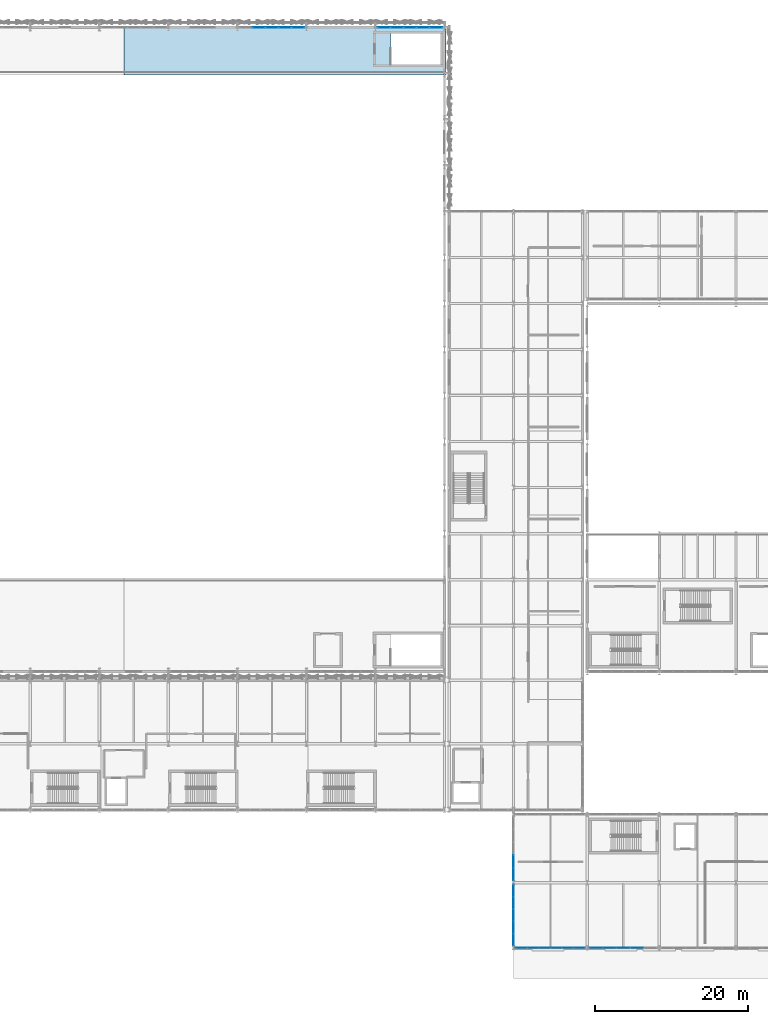
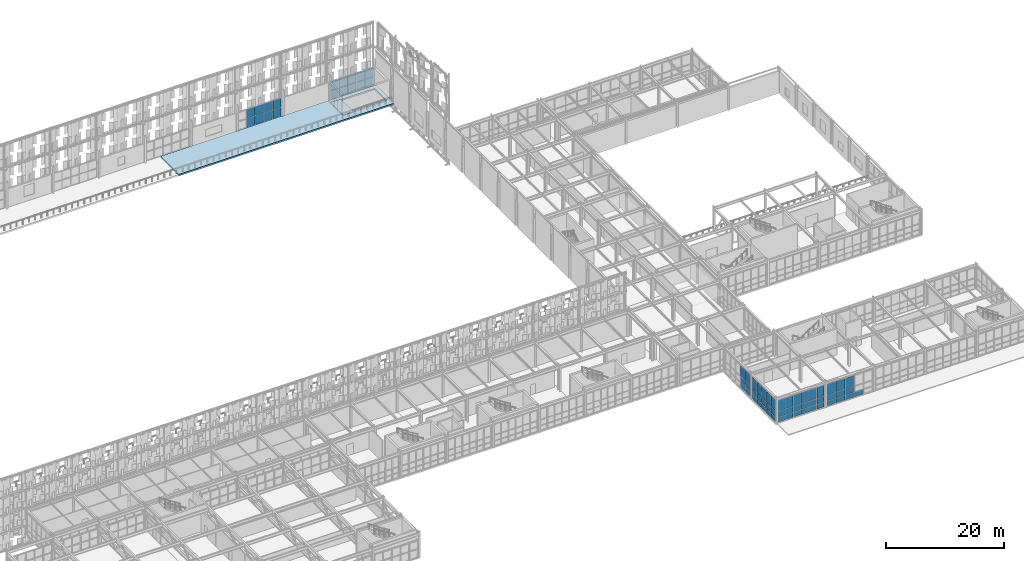
# One storey, part 141 of 210: 67 plates, 2 slabs, 6 elements without a shape of their own.
"""IFC4 building model written with IfcOpenShell, lengths in metres."""

from ifc_helpers import new_model, si_unit, direction, frame, origin, origin_2d, place, context, subcontext, project, spatial, polyline, rectangle, outline, extrude, material, layer, layer_set, type_object, element, aggregate, save


model = new_model("IFC4")

# Units and contexts
model_context = context("Model", 3, precision=1e-05, world=origin(), true_north=direction((0.0, 1.0)))
body_context = subcontext(model_context, "Body", "Model", "MODEL_VIEW")
ifc_project = project(units=[si_unit("LENGTHUNIT", "METRE"), si_unit("AREAUNIT", "SQUARE_METRE"), si_unit("VOLUMEUNIT", "CUBIC_METRE"), si_unit("PLANEANGLEUNIT", "RADIAN"), si_unit("MASSUNIT", "GRAM", prefix="KILO")], contexts=[model_context])

# Site, building, storey
site_placement = place(None, origin())
site = spatial("IfcSite", under=ifc_project, at=site_placement, CompositionType="ELEMENT")
building_placement = place(site_placement, origin())
building = spatial("IfcBuilding", under=site, at=building_placement, Name="Kaldris Quays Convention Centre", CompositionType="ELEMENT")
storey_placement = place(building_placement, frame((0.0, 0.0, 6.0)))
storey = spatial("IfcBuildingStorey", under=building, at=storey_placement, Name="L01", CompositionType="ELEMENT", Elevation=6.0)

# Curtain wall, plates
ifc_material_1 = material(Name="Anodized aluminium AW-6060 and triple glazing", Category="aluminium")
curtain_wall_type_1 = type_object("IfcCurtainWallType", Name="UNITISED CURTAIN WALL CW02", PredefinedType="NOTDEFINED", material=ifc_material_1)
curtain_wall_1_placement = place(storey_placement, origin())
curtain_wall_1 = element("IfcCurtainWall", 1, at=curtain_wall_1_placement, inside=storey, type_object=curtain_wall_type_1, Name="L01 Unitised Curtain Wall CW02 185", PredefinedType="NOTDEFINED")
ifc_material_2 = material(Name="Triple low-E insulated glazing", Category="glass")
plate_type_1 = type_object("IfcPlateType", Name="CURTAIN GLAZING PANEL CWP1", PredefinedType="CURTAIN_PANEL", material=ifc_material_2)
plate_1_placement = place(storey_placement, frame((156.0234375, 20.0, 0.06005859375), z_axis=(0.0, 0.0, 1.0), x_axis=(1.0, 0.0, 0.0)))
plate_1 = element("IfcPlate", 2, at=plate_1_placement, type_object=plate_type_1, Name="CW02 panel 1.1", PredefinedType="CURTAIN_PANEL", context=body_context, shape_type="SweptSolid", body=[
    extrude(rectangle(XDim=1.4267578125, YDim=0.029052734375, at=origin_2d()), origin(), (0.0, 0.0, 1.0), 0.9599609375),
])
plate_2_placement = place(storey_placement, frame((156.0234375, 20.0, 1.080078125), z_axis=(0.0, 0.0, 1.0), x_axis=(1.0, 0.0, 0.0)))
plate_2 = element("IfcPlate", 3, at=plate_2_placement, type_object=plate_type_1, Name="CW02 panel 1.2", PredefinedType="CURTAIN_PANEL", context=body_context, shape_type="SweptSolid", body=[
    extrude(rectangle(XDim=1.4267578125, YDim=0.029052734375, at=origin_2d()), origin(), (0.0, 0.0, 1.0), 1.18994140625),
])
plate_3_placement = place(storey_placement, frame((156.0234375, 20.0, 2.330078125), z_axis=(0.0, 0.0, 1.0), x_axis=(1.0, 0.0, 0.0)))
plate_3 = element("IfcPlate", 4, at=plate_3_placement, type_object=plate_type_1, Name="CW02 panel 1.3", PredefinedType="CURTAIN_PANEL", context=body_context, shape_type="SweptSolid", body=[
    extrude(rectangle(XDim=1.4267578125, YDim=0.029052734375, at=origin_2d()), origin(), (0.0, 0.0, 1.0), 2.2099609375),
])
plate_4_placement = place(storey_placement, frame((157.52490234375, 20.0, 0.06005859375), z_axis=(0.0, 0.0, 1.0), x_axis=(1.0, 0.0, 0.0)))
plate_4 = element("IfcPlate", 5, at=plate_4_placement, type_object=plate_type_1, Name="CW02 panel 2.1", PredefinedType="CURTAIN_PANEL", context=body_context, shape_type="SweptSolid", body=[
    extrude(rectangle(XDim=1.456787109375, YDim=0.029052734375, at=origin_2d()), origin(), (0.0, 0.0, 1.0), 0.9599609375),
])
plate_5_placement = place(storey_placement, frame((157.52490234375, 20.0, 1.080078125), z_axis=(0.0, 0.0, 1.0), x_axis=(1.0, 0.0, 0.0)))
plate_5 = element("IfcPlate", 6, at=plate_5_placement, type_object=plate_type_1, Name="CW02 panel 2.2", PredefinedType="CURTAIN_PANEL", context=body_context, shape_type="SweptSolid", body=[
    extrude(rectangle(XDim=1.456787109375, YDim=0.029052734375, at=origin_2d()), origin(), (0.0, 0.0, 1.0), 1.18994140625),
])
plate_6_placement = place(storey_placement, frame((157.52490234375, 20.0, 2.330078125), z_axis=(0.0, 0.0, 1.0), x_axis=(1.0, 0.0, 0.0)))
plate_6 = element("IfcPlate", 7, at=plate_6_placement, type_object=plate_type_1, Name="CW02 panel 2.3", PredefinedType="CURTAIN_PANEL", context=body_context, shape_type="SweptSolid", body=[
    extrude(rectangle(XDim=1.456787109375, YDim=0.029052734375, at=origin_2d()), origin(), (0.0, 0.0, 1.0), 2.2099609375),
])
plate_7_placement = place(storey_placement, frame((159.041748046875, 20.0, 0.06005859375), z_axis=(0.0, 0.0, 1.0), x_axis=(1.0, 0.0, 0.0)))
plate_7 = element("IfcPlate", 8, at=plate_7_placement, type_object=plate_type_1, Name="CW02 panel 3.1", PredefinedType="CURTAIN_PANEL", context=body_context, shape_type="SweptSolid", body=[
    extrude(rectangle(XDim=1.456787109375, YDim=0.029052734375, at=origin_2d()), origin(), (0.0, 0.0, 1.0), 0.9599609375),
])
plate_8_placement = place(storey_placement, frame((159.041748046875, 20.0, 1.080078125), z_axis=(0.0, 0.0, 1.0), x_axis=(1.0, 0.0, 0.0)))
plate_8 = element("IfcPlate", 9, at=plate_8_placement, type_object=plate_type_1, Name="CW02 panel 3.2", PredefinedType="CURTAIN_PANEL", context=body_context, shape_type="SweptSolid", body=[
    extrude(rectangle(XDim=1.456787109375, YDim=0.029052734375, at=origin_2d()), origin(), (0.0, 0.0, 1.0), 1.18994140625),
])
plate_9_placement = place(storey_placement, frame((159.041748046875, 20.0, 2.330078125), z_axis=(0.0, 0.0, 1.0), x_axis=(1.0, 0.0, 0.0)))
plate_9 = element("IfcPlate", 10, at=plate_9_placement, type_object=plate_type_1, Name="CW02 panel 3.3", PredefinedType="CURTAIN_PANEL", context=body_context, shape_type="SweptSolid", body=[
    extrude(rectangle(XDim=1.456787109375, YDim=0.029052734375, at=origin_2d()), origin(), (0.0, 0.0, 1.0), 2.2099609375),
])
plate_10_placement = place(storey_placement, frame((160.558349609375, 20.0, 0.06005859375), z_axis=(0.0, 0.0, 1.0), x_axis=(1.0, 0.0, 0.0)))
plate_10 = element("IfcPlate", 11, at=plate_10_placement, type_object=plate_type_1, Name="CW02 panel 4.1", PredefinedType="CURTAIN_PANEL", context=body_context, shape_type="SweptSolid", body=[
    extrude(rectangle(XDim=1.456787109375, YDim=0.029052734375, at=origin_2d()), origin(), (0.0, 0.0, 1.0), 0.9599609375),
])
plate_11_placement = place(storey_placement, frame((160.558349609375, 20.0, 1.080078125), z_axis=(0.0, 0.0, 1.0), x_axis=(1.0, 0.0, 0.0)))
plate_11 = element("IfcPlate", 12, at=plate_11_placement, type_object=plate_type_1, Name="CW02 panel 4.2", PredefinedType="CURTAIN_PANEL", context=body_context, shape_type="SweptSolid", body=[
    extrude(rectangle(XDim=1.456787109375, YDim=0.029052734375, at=origin_2d()), origin(), (0.0, 0.0, 1.0), 1.18994140625),
])
plate_12_placement = place(storey_placement, frame((160.558349609375, 20.0, 2.330078125), z_axis=(0.0, 0.0, 1.0), x_axis=(1.0, 0.0, 0.0)))
plate_12 = element("IfcPlate", 13, at=plate_12_placement, type_object=plate_type_1, Name="CW02 panel 4.3", PredefinedType="CURTAIN_PANEL", context=body_context, shape_type="SweptSolid", body=[
    extrude(rectangle(XDim=1.456787109375, YDim=0.029052734375, at=origin_2d()), origin(), (0.0, 0.0, 1.0), 2.2099609375),
])
plate_13_placement = place(storey_placement, frame((162.074951171875, 20.0, 0.06005859375), z_axis=(0.0, 0.0, 1.0), x_axis=(1.0, 0.0, 0.0)))
plate_13 = element("IfcPlate", 14, at=plate_13_placement, type_object=plate_type_1, Name="CW02 panel 5.1", PredefinedType="CURTAIN_PANEL", context=body_context, shape_type="SweptSolid", body=[
    extrude(rectangle(XDim=1.456787109375, YDim=0.029052734375, at=origin_2d()), origin(), (0.0, 0.0, 1.0), 0.9599609375),
])
plate_14_placement = place(storey_placement, frame((162.074951171875, 20.0, 1.080078125), z_axis=(0.0, 0.0, 1.0), x_axis=(1.0, 0.0, 0.0)))
plate_14 = element("IfcPlate", 15, at=plate_14_placement, type_object=plate_type_1, Name="CW02 panel 5.2", PredefinedType="CURTAIN_PANEL", context=body_context, shape_type="SweptSolid", body=[
    extrude(rectangle(XDim=1.456787109375, YDim=0.029052734375, at=origin_2d()), origin(), (0.0, 0.0, 1.0), 1.18994140625),
])
plate_15_placement = place(storey_placement, frame((162.074951171875, 20.0, 2.330078125), z_axis=(0.0, 0.0, 1.0), x_axis=(1.0, 0.0, 0.0)))
plate_15 = element("IfcPlate", 16, at=plate_15_placement, type_object=plate_type_1, Name="CW02 panel 5.3", PredefinedType="CURTAIN_PANEL", context=body_context, shape_type="SweptSolid", body=[
    extrude(rectangle(XDim=1.456787109375, YDim=0.029052734375, at=origin_2d()), origin(), (0.0, 0.0, 1.0), 2.2099609375),
])
plate_16_placement = place(storey_placement, frame((163.57666015625, 20.0, 0.06005859375), z_axis=(0.0, 0.0, 1.0), x_axis=(1.0, 0.0, 0.0)))
plate_16 = element("IfcPlate", 17, at=plate_16_placement, type_object=plate_type_1, Name="CW02 panel 6.1", PredefinedType="CURTAIN_PANEL", context=body_context, shape_type="SweptSolid", body=[
    extrude(rectangle(XDim=1.4267578125, YDim=0.029052734375, at=origin_2d()), origin(), (0.0, 0.0, 1.0), 0.9599609375),
])
plate_17_placement = place(storey_placement, frame((163.57666015625, 20.0, 1.080078125), z_axis=(0.0, 0.0, 1.0), x_axis=(1.0, 0.0, 0.0)))
plate_17 = element("IfcPlate", 18, at=plate_17_placement, type_object=plate_type_1, Name="CW02 panel 6.2", PredefinedType="CURTAIN_PANEL", context=body_context, shape_type="SweptSolid", body=[
    extrude(rectangle(XDim=1.4267578125, YDim=0.029052734375, at=origin_2d()), origin(), (0.0, 0.0, 1.0), 1.18994140625),
])
plate_18_placement = place(storey_placement, frame((163.57666015625, 20.0, 2.330078125), z_axis=(0.0, 0.0, 1.0), x_axis=(1.0, 0.0, 0.0)))
plate_18 = element("IfcPlate", 19, at=plate_18_placement, type_object=plate_type_1, Name="CW02 panel 6.3", PredefinedType="CURTAIN_PANEL", context=body_context, shape_type="SweptSolid", body=[
    extrude(rectangle(XDim=1.4267578125, YDim=0.029052734375, at=origin_2d()), origin(), (0.0, 0.0, 1.0), 2.2099609375),
])
aggregate(curtain_wall_1, [plate_1, plate_2, plate_3, plate_4, plate_5, plate_6, plate_7, plate_8, plate_9, plate_10, plate_11, plate_12, plate_13, plate_14, plate_15, plate_16, plate_17, plate_18])

curtain_wall_2_placement = place(storey_placement, origin())
curtain_wall_2 = element("IfcCurtainWall", 20, at=curtain_wall_2_placement, inside=storey, type_object=curtain_wall_type_1, Name="L01 Unitised Curtain Wall CW02 187", PredefinedType="NOTDEFINED")
plate_type_2 = type_object("IfcPlateType", Name="CURTAIN GLAZING PANEL CWP3", PredefinedType="CURTAIN_PANEL", material=ifc_material_2)
plate_19_placement = place(storey_placement, frame((165.7548828125, 20.0, 0.06005859375), z_axis=(0.0, 0.0, 1.0), x_axis=(1.0, 0.0, 0.0)))
plate_19 = element("IfcPlate", 21, at=plate_19_placement, type_object=plate_type_2, Name="CW02 panel 1.1", PredefinedType="CURTAIN_PANEL", context=body_context, shape_type="SweptSolid", body=[
    extrude(rectangle(XDim=1.68994140625, YDim=0.0390625, at=origin_2d()), origin(), (0.0, 0.0, 1.0), 0.9599609375),
])
plate_20_placement = place(storey_placement, frame((165.7548828125, 20.0, 1.080078125), z_axis=(0.0, 0.0, 1.0), x_axis=(1.0, 0.0, 0.0)))
plate_20 = element("IfcPlate", 22, at=plate_20_placement, type_object=plate_type_2, Name="CW02 panel 1.2", PredefinedType="CURTAIN_PANEL", context=body_context, shape_type="SweptSolid", body=[
    extrude(rectangle(XDim=1.68994140625, YDim=0.0390625, at=origin_2d()), origin(), (0.0, 0.0, 1.0), 1.18994140625),
])
plate_21_placement = place(storey_placement, frame((165.7548828125, 20.0, 2.330078125), z_axis=(0.0, 0.0, 1.0), x_axis=(1.0, 0.0, 0.0)))
plate_21 = element("IfcPlate", 23, at=plate_21_placement, type_object=plate_type_2, Name="CW02 panel 1.3", PredefinedType="CURTAIN_PANEL", context=body_context, shape_type="SweptSolid", body=[
    extrude(rectangle(XDim=1.68994140625, YDim=0.0390625, at=origin_2d()), origin(), (0.0, 0.0, 1.0), 2.2099609375),
])
plate_22_placement = place(storey_placement, frame((167.52001953125, 20.0, 0.06005859375), z_axis=(0.0, 0.0, 1.0), x_axis=(1.0, 0.0, 0.0)))
plate_22 = element("IfcPlate", 24, at=plate_22_placement, type_object=plate_type_2, Name="CW02 panel 2.1", PredefinedType="CURTAIN_PANEL", context=body_context, shape_type="SweptSolid", body=[
    extrude(rectangle(XDim=1.719970703125, YDim=0.0390625, at=origin_2d()), origin(), (0.0, 0.0, 1.0), 0.9599609375),
])
plate_23_placement = place(storey_placement, frame((167.52001953125, 20.0, 1.080078125), z_axis=(0.0, 0.0, 1.0), x_axis=(1.0, 0.0, 0.0)))
plate_23 = element("IfcPlate", 25, at=plate_23_placement, type_object=plate_type_2, Name="CW02 panel 2.2", PredefinedType="CURTAIN_PANEL", context=body_context, shape_type="SweptSolid", body=[
    extrude(rectangle(XDim=1.719970703125, YDim=0.0390625, at=origin_2d()), origin(), (0.0, 0.0, 1.0), 1.18994140625),
])
plate_24_placement = place(storey_placement, frame((167.52001953125, 20.0, 2.330078125), z_axis=(0.0, 0.0, 1.0), x_axis=(1.0, 0.0, 0.0)))
plate_24 = element("IfcPlate", 26, at=plate_24_placement, type_object=plate_type_2, Name="CW02 panel 2.3", PredefinedType="CURTAIN_PANEL", context=body_context, shape_type="SweptSolid", body=[
    extrude(rectangle(XDim=1.719970703125, YDim=0.0390625, at=origin_2d()), origin(), (0.0, 0.0, 1.0), 2.2099609375),
])
plate_25_placement = place(storey_placement, frame((169.300048828125, 20.0, 0.06005859375), z_axis=(0.0, 0.0, 1.0), x_axis=(1.0, 0.0, 0.0)))
plate_25 = element("IfcPlate", 27, at=plate_25_placement, type_object=plate_type_2, Name="CW02 panel 3.1", PredefinedType="CURTAIN_PANEL", context=body_context, shape_type="SweptSolid", body=[
    extrude(rectangle(XDim=1.719970703125, YDim=0.0390625, at=origin_2d()), origin(), (0.0, 0.0, 1.0), 0.9599609375),
])
plate_26_placement = place(storey_placement, frame((169.300048828125, 20.0, 1.080078125), z_axis=(0.0, 0.0, 1.0), x_axis=(1.0, 0.0, 0.0)))
plate_26 = element("IfcPlate", 28, at=plate_26_placement, type_object=plate_type_2, Name="CW02 panel 3.2", PredefinedType="CURTAIN_PANEL", context=body_context, shape_type="SweptSolid", body=[
    extrude(rectangle(XDim=1.719970703125, YDim=0.0390625, at=origin_2d()), origin(), (0.0, 0.0, 1.0), 1.18994140625),
])
plate_27_placement = place(storey_placement, frame((169.300048828125, 20.0, 2.330078125), z_axis=(0.0, 0.0, 1.0), x_axis=(1.0, 0.0, 0.0)))
plate_27 = element("IfcPlate", 29, at=plate_27_placement, type_object=plate_type_2, Name="CW02 panel 3.3", PredefinedType="CURTAIN_PANEL", context=body_context, shape_type="SweptSolid", body=[
    extrude(rectangle(XDim=1.719970703125, YDim=0.0390625, at=origin_2d()), origin(), (0.0, 0.0, 1.0), 2.2099609375),
])
plate_28_placement = place(storey_placement, frame((171.080078125, 20.0, 0.06005859375), z_axis=(0.0, 0.0, 1.0), x_axis=(1.0, 0.0, 0.0)))
plate_28 = element("IfcPlate", 30, at=plate_28_placement, type_object=plate_type_2, Name="CW02 panel 4.1", PredefinedType="CURTAIN_PANEL", context=body_context, shape_type="SweptSolid", body=[
    extrude(rectangle(XDim=1.719970703125, YDim=0.0390625, at=origin_2d()), origin(), (0.0, 0.0, 1.0), 0.9599609375),
])
aggregate(curtain_wall_2, [plate_19, plate_20, plate_21, plate_22, plate_23, plate_24, plate_25, plate_26, plate_27, plate_28])

curtain_wall_3_placement = place(storey_placement, origin())
curtain_wall_3 = element("IfcCurtainWall", 31, at=curtain_wall_3_placement, inside=storey, type_object=curtain_wall_type_1, Name="L01 Unitised Curtain Wall CW02 195", PredefinedType="NOTDEFINED")
plate_29_placement = place(storey_placement, frame((155.0, 21.06494140625, 0.06005859375), z_axis=(0.0, 0.0, 1.0), x_axis=(0.0, 1.0, 0.0)))
plate_29 = element("IfcPlate", 32, at=plate_29_placement, type_object=plate_type_2, Name="CW02 panel 1.1", PredefinedType="CURTAIN_PANEL", context=body_context, shape_type="SweptSolid", body=[
    extrude(rectangle(XDim=1.510009765625, YDim=0.0390625, at=origin_2d()), origin(), (0.0, 0.0, 1.0), 0.9599609375),
])
plate_30_placement = place(storey_placement, frame((155.0, 21.06494140625, 1.080078125), z_axis=(0.0, 0.0, 1.0), x_axis=(0.0, 1.0, 0.0)))
plate_30 = element("IfcPlate", 33, at=plate_30_placement, type_object=plate_type_2, Name="CW02 panel 1.2", PredefinedType="CURTAIN_PANEL", context=body_context, shape_type="SweptSolid", body=[
    extrude(rectangle(XDim=1.510009765625, YDim=0.0390625, at=origin_2d()), origin(), (0.0, 0.0, 1.0), 1.18994140625),
])
plate_31_placement = place(storey_placement, frame((155.0, 21.06494140625, 2.330078125), z_axis=(0.0, 0.0, 1.0), x_axis=(0.0, 1.0, 0.0)))
plate_31 = element("IfcPlate", 34, at=plate_31_placement, type_object=plate_type_2, Name="CW02 panel 1.3", PredefinedType="CURTAIN_PANEL", context=body_context, shape_type="SweptSolid", body=[
    extrude(rectangle(XDim=1.510009765625, YDim=0.0390625, at=origin_2d()), origin(), (0.0, 0.0, 1.0), 2.2099609375),
])
plate_32_placement = place(storey_placement, frame((155.0, 22.64990234375, 0.06005859375), z_axis=(0.0, 0.0, 1.0), x_axis=(0.0, 1.0, 0.0)))
plate_32 = element("IfcPlate", 35, at=plate_32_placement, type_object=plate_type_2, Name="CW02 panel 2.1", PredefinedType="CURTAIN_PANEL", context=body_context, shape_type="SweptSolid", body=[
    extrude(rectangle(XDim=1.5400390625, YDim=0.0390625, at=origin_2d()), origin(), (0.0, 0.0, 1.0), 0.9599609375),
])
plate_33_placement = place(storey_placement, frame((155.0, 22.64990234375, 1.080078125), z_axis=(0.0, 0.0, 1.0), x_axis=(0.0, 1.0, 0.0)))
plate_33 = element("IfcPlate", 36, at=plate_33_placement, type_object=plate_type_2, Name="CW02 panel 2.2", PredefinedType="CURTAIN_PANEL", context=body_context, shape_type="SweptSolid", body=[
    extrude(rectangle(XDim=1.5400390625, YDim=0.0390625, at=origin_2d()), origin(), (0.0, 0.0, 1.0), 1.18994140625),
])
plate_34_placement = place(storey_placement, frame((155.0, 22.64990234375, 2.330078125), z_axis=(0.0, 0.0, 1.0), x_axis=(0.0, 1.0, 0.0)))
plate_34 = element("IfcPlate", 37, at=plate_34_placement, type_object=plate_type_2, Name="CW02 panel 2.3", PredefinedType="CURTAIN_PANEL", context=body_context, shape_type="SweptSolid", body=[
    extrude(rectangle(XDim=1.5400390625, YDim=0.0390625, at=origin_2d()), origin(), (0.0, 0.0, 1.0), 2.2099609375),
])
plate_35_placement = place(storey_placement, frame((155.0, 24.25, 0.06005859375), z_axis=(0.0, 0.0, 1.0), x_axis=(0.0, 1.0, 0.0)))
plate_35 = element("IfcPlate", 38, at=plate_35_placement, type_object=plate_type_2, Name="CW02 panel 3.1", PredefinedType="CURTAIN_PANEL", context=body_context, shape_type="SweptSolid", body=[
    extrude(rectangle(XDim=1.5400390625, YDim=0.0390625, at=origin_2d()), origin(), (0.0, 0.0, 1.0), 0.9599609375),
])
plate_36_placement = place(storey_placement, frame((155.0, 24.25, 1.080078125), z_axis=(0.0, 0.0, 1.0), x_axis=(0.0, 1.0, 0.0)))
plate_36 = element("IfcPlate", 39, at=plate_36_placement, type_object=plate_type_2, Name="CW02 panel 3.2", PredefinedType="CURTAIN_PANEL", context=body_context, shape_type="SweptSolid", body=[
    extrude(rectangle(XDim=1.5400390625, YDim=0.0390625, at=origin_2d()), origin(), (0.0, 0.0, 1.0), 1.18994140625),
])
plate_37_placement = place(storey_placement, frame((155.0, 24.25, 2.330078125), z_axis=(0.0, 0.0, 1.0), x_axis=(0.0, 1.0, 0.0)))
plate_37 = element("IfcPlate", 40, at=plate_37_placement, type_object=plate_type_2, Name="CW02 panel 3.3", PredefinedType="CURTAIN_PANEL", context=body_context, shape_type="SweptSolid", body=[
    extrude(rectangle(XDim=1.5400390625, YDim=0.0390625, at=origin_2d()), origin(), (0.0, 0.0, 1.0), 2.2099609375),
])
plate_38_placement = place(storey_placement, frame((155.0, 25.85009765625, 0.06005859375), z_axis=(0.0, 0.0, 1.0), x_axis=(0.0, 1.0, 0.0)))
plate_38 = element("IfcPlate", 41, at=plate_38_placement, type_object=plate_type_2, Name="CW02 panel 4.1", PredefinedType="CURTAIN_PANEL", context=body_context, shape_type="SweptSolid", body=[
    extrude(rectangle(XDim=1.5400390625, YDim=0.0390625, at=origin_2d()), origin(), (0.0, 0.0, 1.0), 0.9599609375),
])
plate_39_placement = place(storey_placement, frame((155.0, 25.85009765625, 1.080078125), z_axis=(0.0, 0.0, 1.0), x_axis=(0.0, 1.0, 0.0)))
plate_39 = element("IfcPlate", 42, at=plate_39_placement, type_object=plate_type_2, Name="CW02 panel 4.2", PredefinedType="CURTAIN_PANEL", context=body_context, shape_type="SweptSolid", body=[
    extrude(rectangle(XDim=1.5400390625, YDim=0.0390625, at=origin_2d()), origin(), (0.0, 0.0, 1.0), 1.18994140625),
])
plate_40_placement = place(storey_placement, frame((155.0, 25.85009765625, 2.330078125), z_axis=(0.0, 0.0, 1.0), x_axis=(0.0, 1.0, 0.0)))
plate_40 = element("IfcPlate", 43, at=plate_40_placement, type_object=plate_type_2, Name="CW02 panel 4.3", PredefinedType="CURTAIN_PANEL", context=body_context, shape_type="SweptSolid", body=[
    extrude(rectangle(XDim=1.5400390625, YDim=0.0390625, at=origin_2d()), origin(), (0.0, 0.0, 1.0), 2.2099609375),
])
plate_41_placement = place(storey_placement, frame((155.0, 27.43505859375, 0.06005859375), z_axis=(0.0, 0.0, 1.0), x_axis=(0.0, 1.0, 0.0)))
plate_41 = element("IfcPlate", 44, at=plate_41_placement, type_object=plate_type_2, Name="CW02 panel 5.1", PredefinedType="CURTAIN_PANEL", context=body_context, shape_type="SweptSolid", body=[
    extrude(rectangle(XDim=1.510009765625, YDim=0.0390625, at=origin_2d()), origin(), (0.0, 0.0, 1.0), 0.9599609375),
])
plate_42_placement = place(storey_placement, frame((155.0, 27.43505859375, 1.080078125), z_axis=(0.0, 0.0, 1.0), x_axis=(0.0, 1.0, 0.0)))
plate_42 = element("IfcPlate", 45, at=plate_42_placement, type_object=plate_type_2, Name="CW02 panel 5.2", PredefinedType="CURTAIN_PANEL", context=body_context, shape_type="SweptSolid", body=[
    extrude(rectangle(XDim=1.510009765625, YDim=0.0390625, at=origin_2d()), origin(), (0.0, 0.0, 1.0), 1.18994140625),
])
plate_43_placement = place(storey_placement, frame((155.0, 27.43505859375, 2.330078125), z_axis=(0.0, 0.0, 1.0), x_axis=(0.0, 1.0, 0.0)))
plate_43 = element("IfcPlate", 46, at=plate_43_placement, type_object=plate_type_2, Name="CW02 panel 5.3", PredefinedType="CURTAIN_PANEL", context=body_context, shape_type="SweptSolid", body=[
    extrude(rectangle(XDim=1.510009765625, YDim=0.0390625, at=origin_2d()), origin(), (0.0, 0.0, 1.0), 2.2099609375),
])
aggregate(curtain_wall_3, [plate_29, plate_30, plate_31, plate_32, plate_33, plate_34, plate_35, plate_36, plate_37, plate_38, plate_39, plate_40, plate_41, plate_42, plate_43])

curtain_wall_type_2 = type_object("IfcCurtainWallType", Name="UNITISED CURTAIN WALL CW05", PredefinedType="NOTDEFINED", material=ifc_material_1)
curtain_wall_4_placement = place(storey_placement, origin())
curtain_wall_4 = element("IfcCurtainWall", 47, at=curtain_wall_4_placement, inside=storey, type_object=curtain_wall_type_2, Name="L01 Unitised Curtain Wall CW05 12", PredefinedType="NOTDEFINED")
plate_type_3 = type_object("IfcPlateType", Name="CURTAIN GLAZING PANEL CWP4", PredefinedType="CURTAIN_PANEL", material=ifc_material_2)
plate_44_placement = place(storey_placement, frame((121.800048828125, 140.0, 0.06005859375), z_axis=(0.0, 0.0, 1.0), x_axis=(1.0, 0.0, 0.0)))
plate_44 = element("IfcPlate", 48, at=plate_44_placement, type_object=plate_type_3, Name="CW05 panel 2.1", PredefinedType="CURTAIN_PANEL", context=body_context, shape_type="SweptSolid", body=[
    extrude(rectangle(XDim=1.639892578125, YDim=0.0439453125, at=origin_2d()), origin(), (0.0, 0.0, 1.0), 1.81005859375),
])
plate_45_placement = place(storey_placement, frame((121.800048828125, 140.0, 1.929931640625), z_axis=(0.0, 0.0, 1.0), x_axis=(1.0, 0.0, 0.0)))
plate_45 = element("IfcPlate", 49, at=plate_45_placement, type_object=plate_type_3, Name="CW05 panel 2.2", PredefinedType="CURTAIN_PANEL", context=body_context, shape_type="SweptSolid", body=[
    extrude(rectangle(XDim=1.639892578125, YDim=0.0439453125, at=origin_2d()), origin(), (0.0, 0.0, 1.0), 1.81005859375),
])
plate_46_placement = place(storey_placement, frame((123.5, 140.0, 0.06005859375), z_axis=(0.0, 0.0, 1.0), x_axis=(1.0, 0.0, 0.0)))
plate_46 = element("IfcPlate", 50, at=plate_46_placement, type_object=plate_type_3, Name="CW05 panel 3.1", PredefinedType="CURTAIN_PANEL", context=body_context, shape_type="SweptSolid", body=[
    extrude(rectangle(XDim=1.639892578125, YDim=0.0439453125, at=origin_2d()), origin(), (0.0, 0.0, 1.0), 1.81005859375),
])
plate_47_placement = place(storey_placement, frame((123.5, 140.0, 1.929931640625), z_axis=(0.0, 0.0, 1.0), x_axis=(1.0, 0.0, 0.0)))
plate_47 = element("IfcPlate", 51, at=plate_47_placement, type_object=plate_type_3, Name="CW05 panel 3.2", PredefinedType="CURTAIN_PANEL", context=body_context, shape_type="SweptSolid", body=[
    extrude(rectangle(XDim=1.639892578125, YDim=0.0439453125, at=origin_2d()), origin(), (0.0, 0.0, 1.0), 1.81005859375),
])
plate_48_placement = place(storey_placement, frame((125.199951171875, 140.0, 0.06005859375), z_axis=(0.0, 0.0, 1.0), x_axis=(1.0, 0.0, 0.0)))
plate_48 = element("IfcPlate", 52, at=plate_48_placement, type_object=plate_type_3, Name="CW05 panel 4.1", PredefinedType="CURTAIN_PANEL", context=body_context, shape_type="SweptSolid", body=[
    extrude(rectangle(XDim=1.639892578125, YDim=0.0439453125, at=origin_2d()), origin(), (0.0, 0.0, 1.0), 1.81005859375),
])
plate_49_placement = place(storey_placement, frame((125.199951171875, 140.0, 1.929931640625), z_axis=(0.0, 0.0, 1.0), x_axis=(1.0, 0.0, 0.0)))
plate_49 = element("IfcPlate", 53, at=plate_49_placement, type_object=plate_type_3, Name="CW05 panel 4.2", PredefinedType="CURTAIN_PANEL", context=body_context, shape_type="SweptSolid", body=[
    extrude(rectangle(XDim=1.639892578125, YDim=0.0439453125, at=origin_2d()), origin(), (0.0, 0.0, 1.0), 1.81005859375),
])
plate_50_placement = place(storey_placement, frame((126.885009765625, 140.0, 0.06005859375), z_axis=(0.0, 0.0, 1.0), x_axis=(1.0, 0.0, 0.0)))
plate_50 = element("IfcPlate", 54, at=plate_50_placement, type_object=plate_type_3, Name="CW05 panel 5.1", PredefinedType="CURTAIN_PANEL", context=body_context, shape_type="SweptSolid", body=[
    extrude(rectangle(XDim=1.610107421875, YDim=0.0439453125, at=origin_2d()), origin(), (0.0, 0.0, 1.0), 1.81005859375),
])
plate_51_placement = place(storey_placement, frame((126.885009765625, 140.0, 1.929931640625), z_axis=(0.0, 0.0, 1.0), x_axis=(1.0, 0.0, 0.0)))
plate_51 = element("IfcPlate", 55, at=plate_51_placement, type_object=plate_type_3, Name="CW05 panel 5.2", PredefinedType="CURTAIN_PANEL", context=body_context, shape_type="SweptSolid", body=[
    extrude(rectangle(XDim=1.610107421875, YDim=0.0439453125, at=origin_2d()), origin(), (0.0, 0.0, 1.0), 1.81005859375),
])
aggregate(curtain_wall_4, [plate_44, plate_45, plate_46, plate_47, plate_48, plate_49, plate_50, plate_51])

curtain_wall_5_placement = place(storey_placement, origin())
curtain_wall_5 = element("IfcCurtainWall", 56, at=curtain_wall_5_placement, inside=storey, type_object=curtain_wall_type_1, Name="L01 Unitised Curtain Wall CW02 197", PredefinedType="NOTDEFINED")
plate_type_4 = type_object("IfcPlateType", Name="CURTAIN GLAZING PANEL CWP5", PredefinedType="CURTAIN_PANEL", material=ifc_material_2)
plate_52_placement = place(storey_placement, frame((155.0, 29.60498046875, 0.06005859375), z_axis=(0.0, 0.0, 1.0), x_axis=(0.0, 1.0, 0.0)))
plate_52 = element("IfcPlate", 57, at=plate_52_placement, type_object=plate_type_4, Name="CW02 panel 1.1", PredefinedType="CURTAIN_PANEL", context=body_context, shape_type="SweptSolid", body=[
    extrude(rectangle(XDim=1.590087890625, YDim=0.049072265625, at=origin_2d()), origin(), (0.0, 0.0, 1.0), 0.9599609375),
])
plate_53_placement = place(storey_placement, frame((155.0, 29.60498046875, 1.080078125), z_axis=(0.0, 0.0, 1.0), x_axis=(0.0, 1.0, 0.0)))
plate_53 = element("IfcPlate", 58, at=plate_53_placement, type_object=plate_type_4, Name="CW02 panel 1.2", PredefinedType="CURTAIN_PANEL", context=body_context, shape_type="SweptSolid", body=[
    extrude(rectangle(XDim=1.590087890625, YDim=0.049072265625, at=origin_2d()), origin(), (0.0, 0.0, 1.0), 1.18994140625),
])
plate_54_placement = place(storey_placement, frame((155.0, 29.60498046875, 2.330078125), z_axis=(0.0, 0.0, 1.0), x_axis=(0.0, 1.0, 0.0)))
plate_54 = element("IfcPlate", 59, at=plate_54_placement, type_object=plate_type_4, Name="CW02 panel 1.3", PredefinedType="CURTAIN_PANEL", context=body_context, shape_type="SweptSolid", body=[
    extrude(rectangle(XDim=1.590087890625, YDim=0.049072265625, at=origin_2d()), origin(), (0.0, 0.0, 1.0), 2.2099609375),
])
plate_55_placement = place(storey_placement, frame((155.0, 31.27001953125, 0.06005859375), z_axis=(0.0, 0.0, 1.0), x_axis=(0.0, 1.0, 0.0)))
plate_55 = element("IfcPlate", 60, at=plate_55_placement, type_object=plate_type_4, Name="CW02 panel 2.1", PredefinedType="CURTAIN_PANEL", context=body_context, shape_type="SweptSolid", body=[
    extrude(rectangle(XDim=1.6201171875, YDim=0.049072265625, at=origin_2d()), origin(), (0.0, 0.0, 1.0), 0.9599609375),
])
plate_56_placement = place(storey_placement, frame((155.0, 31.27001953125, 1.080078125), z_axis=(0.0, 0.0, 1.0), x_axis=(0.0, 1.0, 0.0)))
plate_56 = element("IfcPlate", 61, at=plate_56_placement, type_object=plate_type_4, Name="CW02 panel 2.2", PredefinedType="CURTAIN_PANEL", context=body_context, shape_type="SweptSolid", body=[
    extrude(rectangle(XDim=1.6201171875, YDim=0.049072265625, at=origin_2d()), origin(), (0.0, 0.0, 1.0), 1.18994140625),
])
plate_57_placement = place(storey_placement, frame((155.0, 31.27001953125, 2.330078125), z_axis=(0.0, 0.0, 1.0), x_axis=(0.0, 1.0, 0.0)))
plate_57 = element("IfcPlate", 62, at=plate_57_placement, type_object=plate_type_4, Name="CW02 panel 2.3", PredefinedType="CURTAIN_PANEL", context=body_context, shape_type="SweptSolid", body=[
    extrude(rectangle(XDim=1.6201171875, YDim=0.049072265625, at=origin_2d()), origin(), (0.0, 0.0, 1.0), 2.2099609375),
])
aggregate(curtain_wall_5, [plate_52, plate_53, plate_54, plate_55, plate_56, plate_57])

curtain_wall_6_placement = place(storey_placement, origin())
curtain_wall_6 = element("IfcCurtainWall", 63, at=curtain_wall_6_placement, inside=storey, type_object=curtain_wall_type_2, Name="L01 Unitised Curtain Wall CW05 14", PredefinedType="NOTDEFINED")
plate_type_5 = type_object("IfcPlateType", Name="CURTAIN GLAZING PANEL CWP6", PredefinedType="CURTAIN_PANEL", material=ifc_material_2)
plate_58_placement = place(storey_placement, frame((138.114990234375, 140.0, 0.06005859375), z_axis=(0.0, 0.0, 1.0), x_axis=(1.0, 0.0, 0.0)))
plate_58 = element("IfcPlate", 64, at=plate_58_placement, type_object=plate_type_5, Name="CW05 panel 1.1", PredefinedType="CURTAIN_PANEL", context=body_context, shape_type="SweptSolid", body=[
    extrude(rectangle(XDim=1.610107421875, YDim=0.053955078125, at=origin_2d()), origin(), (0.0, 0.0, 1.0), 1.81005859375),
])
plate_59_placement = place(storey_placement, frame((138.114990234375, 140.0, 1.929931640625), z_axis=(0.0, 0.0, 1.0), x_axis=(1.0, 0.0, 0.0)))
plate_59 = element("IfcPlate", 65, at=plate_59_placement, type_object=plate_type_5, Name="CW05 panel 1.2", PredefinedType="CURTAIN_PANEL", context=body_context, shape_type="SweptSolid", body=[
    extrude(rectangle(XDim=1.610107421875, YDim=0.053955078125, at=origin_2d()), origin(), (0.0, 0.0, 1.0), 1.81005859375),
])
plate_60_placement = place(storey_placement, frame((139.800048828125, 140.0, 0.06005859375), z_axis=(0.0, 0.0, 1.0), x_axis=(1.0, 0.0, 0.0)))
plate_60 = element("IfcPlate", 66, at=plate_60_placement, type_object=plate_type_5, Name="CW05 panel 2.1", PredefinedType="CURTAIN_PANEL", context=body_context, shape_type="SweptSolid", body=[
    extrude(rectangle(XDim=1.639892578125, YDim=0.053955078125, at=origin_2d()), origin(), (0.0, 0.0, 1.0), 1.81005859375),
])
plate_61_placement = place(storey_placement, frame((139.800048828125, 140.0, 1.929931640625), z_axis=(0.0, 0.0, 1.0), x_axis=(1.0, 0.0, 0.0)))
plate_61 = element("IfcPlate", 67, at=plate_61_placement, type_object=plate_type_5, Name="CW05 panel 2.2", PredefinedType="CURTAIN_PANEL", context=body_context, shape_type="SweptSolid", body=[
    extrude(rectangle(XDim=1.639892578125, YDim=0.053955078125, at=origin_2d()), origin(), (0.0, 0.0, 1.0), 1.81005859375),
])
plate_62_placement = place(storey_placement, frame((141.5, 140.0, 0.06005859375), z_axis=(0.0, 0.0, 1.0), x_axis=(1.0, 0.0, 0.0)))
plate_62 = element("IfcPlate", 68, at=plate_62_placement, type_object=plate_type_5, Name="CW05 panel 3.1", PredefinedType="CURTAIN_PANEL", context=body_context, shape_type="SweptSolid", body=[
    extrude(rectangle(XDim=1.639892578125, YDim=0.053955078125, at=origin_2d()), origin(), (0.0, 0.0, 1.0), 1.81005859375),
])
plate_63_placement = place(storey_placement, frame((141.5, 140.0, 1.929931640625), z_axis=(0.0, 0.0, 1.0), x_axis=(1.0, 0.0, 0.0)))
plate_63 = element("IfcPlate", 69, at=plate_63_placement, type_object=plate_type_5, Name="CW05 panel 3.2", PredefinedType="CURTAIN_PANEL", context=body_context, shape_type="SweptSolid", body=[
    extrude(rectangle(XDim=1.639892578125, YDim=0.053955078125, at=origin_2d()), origin(), (0.0, 0.0, 1.0), 1.81005859375),
])
plate_64_placement = place(storey_placement, frame((143.199951171875, 140.0, 0.06005859375), z_axis=(0.0, 0.0, 1.0), x_axis=(1.0, 0.0, 0.0)))
plate_64 = element("IfcPlate", 70, at=plate_64_placement, type_object=plate_type_5, Name="CW05 panel 4.1", PredefinedType="CURTAIN_PANEL", context=body_context, shape_type="SweptSolid", body=[
    extrude(rectangle(XDim=1.639892578125, YDim=0.053955078125, at=origin_2d()), origin(), (0.0, 0.0, 1.0), 1.81005859375),
])
plate_65_placement = place(storey_placement, frame((143.199951171875, 140.0, 1.929931640625), z_axis=(0.0, 0.0, 1.0), x_axis=(1.0, 0.0, 0.0)))
plate_65 = element("IfcPlate", 71, at=plate_65_placement, type_object=plate_type_5, Name="CW05 panel 4.2", PredefinedType="CURTAIN_PANEL", context=body_context, shape_type="SweptSolid", body=[
    extrude(rectangle(XDim=1.639892578125, YDim=0.053955078125, at=origin_2d()), origin(), (0.0, 0.0, 1.0), 1.81005859375),
])
plate_66_placement = place(storey_placement, frame((144.885009765625, 140.0, 0.06005859375), z_axis=(0.0, 0.0, 1.0), x_axis=(1.0, 0.0, 0.0)))
plate_66 = element("IfcPlate", 72, at=plate_66_placement, type_object=plate_type_5, Name="CW05 panel 5.1", PredefinedType="CURTAIN_PANEL", context=body_context, shape_type="SweptSolid", body=[
    extrude(rectangle(XDim=1.610107421875, YDim=0.053955078125, at=origin_2d()), origin(), (0.0, 0.0, 1.0), 1.81005859375),
])
plate_67_placement = place(storey_placement, frame((144.885009765625, 140.0, 1.929931640625), z_axis=(0.0, 0.0, 1.0), x_axis=(1.0, 0.0, 0.0)))
plate_67 = element("IfcPlate", 73, at=plate_67_placement, type_object=plate_type_5, Name="CW05 panel 5.2", PredefinedType="CURTAIN_PANEL", context=body_context, shape_type="SweptSolid", body=[
    extrude(rectangle(XDim=1.610107421875, YDim=0.053955078125, at=origin_2d()), origin(), (0.0, 0.0, 1.0), 1.81005859375),
])
aggregate(curtain_wall_6, [plate_58, plate_59, plate_60, plate_61, plate_62, plate_63, plate_64, plate_65, plate_66, plate_67])

# Slabs
ifc_material_3 = material(Name="Concrete C35/45", Category="concrete")
ifc_layer_1 = layer(ifc_material_3, 0.31494140625)
ifc_layer_set_1 = layer_set([ifc_layer_1], Name="Concrete C35/45")
slab_type_1 = type_object("IfcSlabType", Name="STRUCTURAL SLAB FS03", PredefinedType="FLOOR", material=ifc_layer_set_1)
slab_1_placement = place(storey_placement, frame((0.0, 0.0, -0.31494140625)))
element("IfcSlab", 74, at=slab_1_placement, inside=storey, type_object=slab_type_1, Name="L01 V1 North Gallery 3 SLAB-L01-V1GN-3", PredefinedType="FLOOR", context=body_context, shape_type="SweptSolid", body=[
    extrude(outline(polyline([(146.199951171875, 140.0), (146.199951171875, 133.800048828125), (104.201904296875, 133.800048828125), (104.201904296875, 140.0), (146.199951171875, 140.0)]), holes=[polyline([(139.001953125, 135.02978515625), (139.001953125, 135.14990234375), (145.449951171875, 135.14990234375), (145.449951171875, 139.199951171875), (139.001953125, 139.199951171875), (139.000244140625, 139.322021484375), (136.928955078125, 139.32177734375), (136.92822265625, 135.029052734375), (139.001953125, 135.02978515625)])]), origin(), (0.0, 0.0, 1.0), 0.31494140625),
])
ifc_layer_2 = layer(ifc_material_3, 0.27490234375)
ifc_layer_set_2 = layer_set([ifc_layer_2], Name="Concrete C35/45")
slab_type_2 = type_object("IfcSlabType", Name="STRUCTURAL SLAB FS05", PredefinedType="FLOOR", material=ifc_layer_set_2)
slab_2_placement = place(storey_placement, frame((0.0, 0.0, -0.27490234375)))
element("IfcSlab", 75, at=slab_2_placement, inside=storey, type_object=slab_type_2, Name="L01 ST04 Core Floor Landing Slab", PredefinedType="FLOOR", context=body_context, shape_type="SweptSolid", body=[
    extrude(outline(polyline([(136.929931640625, 135.030029296875), (139.0, 135.030029296875), (139.0, 139.320068359375), (136.929931640625, 139.320068359375), (136.929931640625, 135.030029296875)])), origin(), (0.0, 0.0, 1.0), 0.27490234375),
])

save(model, "model.ifc")
